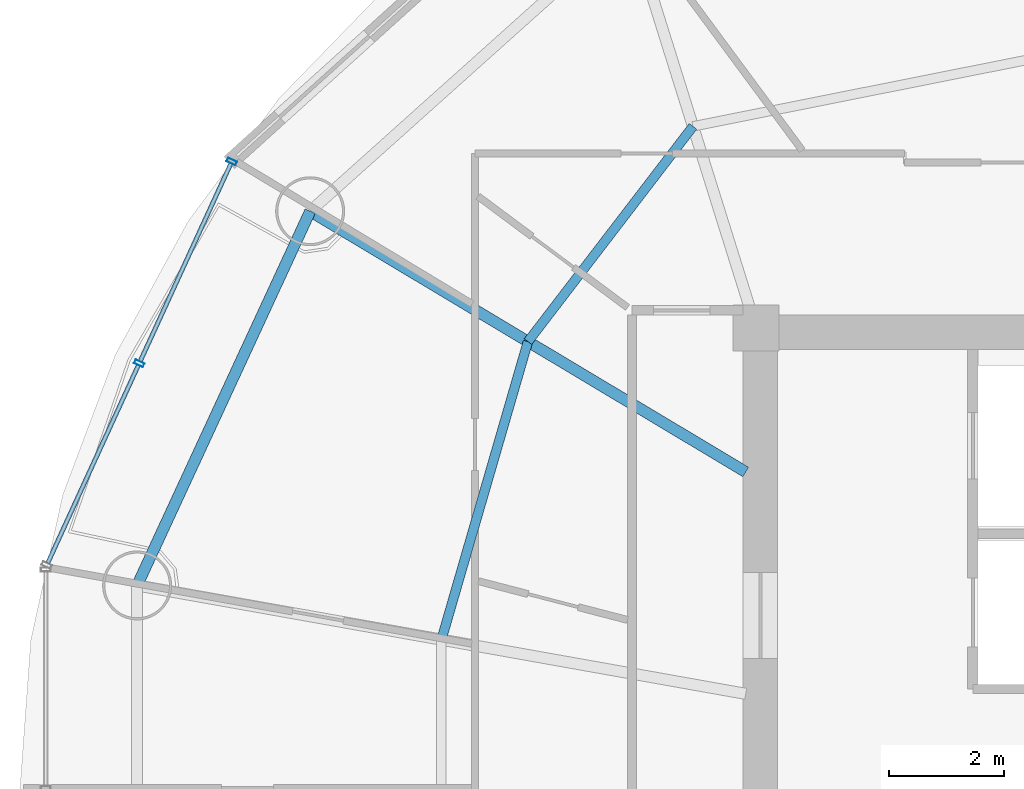
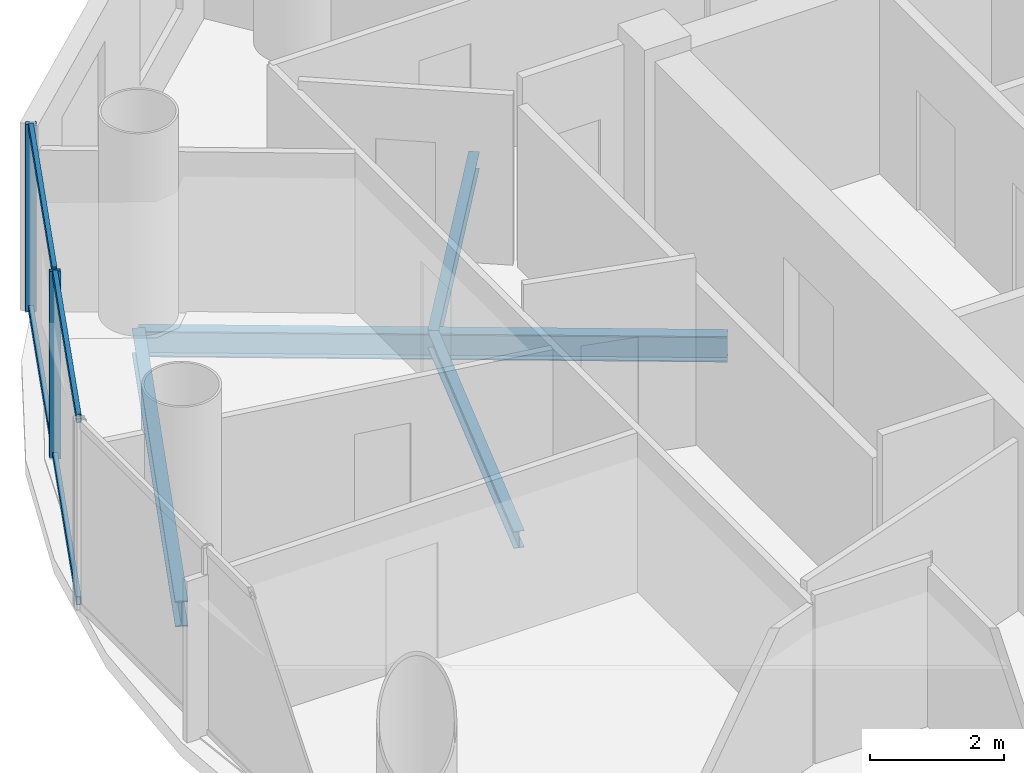
# One storey, part 9 of 26: 6 members, 4 beams, 1 element without a shape of its own.
"""IFC4 building model written with IfcOpenShell, lengths in metres."""

from ifc_helpers import new_model, si_unit, direction, frame, origin, origin_2d, place, context, subcontext, project, spatial, hollow_rectangle, i_section, extrude, source, transform, mapped, material, material_profile, profile_set, type_object, element, aggregate, save


model = new_model("IFC4")

# Units and contexts
model_context = context("Model", 3, precision=1e-05, world=origin(), true_north=direction((-0.2419218956, 0.970295726276)))
body_context = subcontext(model_context, "Body", "Model", "MODEL_VIEW")
ifc_project = project(units=[si_unit("LENGTHUNIT", "METRE"), si_unit("AREAUNIT", "SQUARE_METRE"), si_unit("VOLUMEUNIT", "CUBIC_METRE"), si_unit("PLANEANGLEUNIT", "RADIAN"), si_unit("MASSUNIT", "GRAM", prefix="KILO")], contexts=[model_context])

# Site, building, storey
site_placement = place(None, origin())
site = spatial("IfcSite", under=ifc_project, at=site_placement, CompositionType="ELEMENT")
building_placement = place(site_placement, origin())
building = spatial("IfcBuilding", under=site, at=building_placement, Name="Cobrevalo Terracotta Tower", CompositionType="ELEMENT")
storey_placement = place(building_placement, frame((0.0, 0.0, 224.5)))
storey = spatial("IfcBuildingStorey", under=building, at=storey_placement, Name="L59", CompositionType="ELEMENT", Elevation=224.5)

# Beams
ifc_material_1 = material(Name="Steel S355", Category="steel")
ifc_material_profile_1 = material_profile(ifc_material_1, i_section(OverallWidth=0.194091796875, OverallDepth=0.468994140625, WebThickness=0.011474609375, FlangeThickness=0.0205078125, at=origin_2d()), Name="W 460x106")
ifc_profile_set_1 = profile_set([ifc_material_profile_1], Name="Steel S355")
beam_type_1 = type_object("IfcBeamType", Name="Structural Beam W 460x106 (Steel S355)", PredefinedType="BEAM", material=ifc_profile_set_1)
beam_1_placement = place(storey_placement, frame((21.245849609375, 36.828125, -0.49951171875), z_axis=(0.858046392192, -0.513572184651, 0.0), x_axis=(0.513572184651, 0.858046392192, 0.0)))
element("IfcBeam", 1, at=beam_1_placement, inside=storey, type_object=beam_type_1, Name="L59 radial floor girder 07", PredefinedType="BEAM", context=body_context, shape_type="SweptSolid", body=[
    extrude(i_section(OverallWidth=0.194091796875, OverallDepth=0.468994140625, WebThickness=0.011474609375, FlangeThickness=0.0205078125, at=origin_2d()), origin(), (0.0, 0.0, 1.0), 8.827392578125),
])
ifc_material_profile_2 = material_profile(ifc_material_1, i_section(OverallWidth=0.1650390625, OverallDepth=0.31005859375, WebThickness=0.005859375, FlangeThickness=0.009765625, at=origin_2d()), Name="W 310x38.7")
ifc_profile_set_2 = profile_set([ifc_material_profile_2], Name="Steel S355")
beam_type_2 = type_object("IfcBeamType", Name="Structural Joist W 310x38.7 (Steel S355)", PredefinedType="JOIST", material=ifc_profile_set_2)
beam_2_placement = place(storey_placement, frame((27.902587890625, 38.303955078125, -0.419921875), z_axis=(-0.608464146296, -0.793581364872, 0.0), x_axis=(0.793581364872, -0.608464146296, 0.0)))
element("IfcBeam", 2, at=beam_2_placement, inside=storey, type_object=beam_type_2, Name="L59 circumferential secondary floor joist 06", PredefinedType="JOIST", context=body_context, shape_type="SweptSolid", body=[
    extrude(i_section(OverallWidth=0.1650390625, OverallDepth=0.31005859375, WebThickness=0.005859375, FlangeThickness=0.009765625, at=origin_2d()), origin(), (0.0, 0.0, 1.0), 4.716064453125),
])
beam_3_placement = place(storey_placement, frame((25.032958984375, 34.561279296875, -0.419921875), z_axis=(-0.278769817131, -0.960357948401, 0.0), x_axis=(0.960357948401, -0.278769817131, 0.0)))
element("IfcBeam", 3, at=beam_3_placement, inside=storey, type_object=beam_type_2, Name="L59 circumferential secondary floor joist 07", PredefinedType="JOIST", context=body_context, shape_type="SweptSolid", body=[
    extrude(i_section(OverallWidth=0.1650390625, OverallDepth=0.31005859375, WebThickness=0.005859375, FlangeThickness=0.009765625, at=origin_2d()), origin(), (0.0, 0.0, 1.0), 5.396484375),
])
ifc_material_profile_3 = material_profile(ifc_material_1, i_section(OverallWidth=0.194091796875, OverallDepth=0.468994140625, WebThickness=0.011474609375, FlangeThickness=0.0205078125, at=origin_2d()), Name="W 460x106")
ifc_profile_set_3 = profile_set([ifc_material_profile_3], Name="Steel S355")
beam_type_3 = type_object("IfcBeamType", Name="Structural Spandrel W 460x106 (Steel S355)", PredefinedType="SPANDREL", material=ifc_profile_set_3)
beam_4_placement = place(storey_placement, frame((21.245849609375, 36.828125, -0.49951171875), z_axis=(-0.419705965131, -0.907660125176, 0.0), x_axis=(0.907660125176, -0.419705965131, 0.0)))
element("IfcBeam", 4, at=beam_4_placement, inside=storey, type_object=beam_type_3, Name="L59 perimeter ring spandrel 07", PredefinedType="SPANDREL", context=body_context, shape_type="SweptSolid", body=[
    extrude(i_section(OverallWidth=0.194091796875, OverallDepth=0.468994140625, WebThickness=0.011474609375, FlangeThickness=0.0205078125, at=origin_2d()), origin(), (0.0, 0.0, 1.0), 7.168701171875),
])

# Curtain wall, members
ifc_material_2 = material(Name="Anodized aluminium", Category="aluminium")
curtain_wall_type = type_object("IfcCurtainWallType", Name="Mid-tower high-wind unitised curtain wall CW-U2", PredefinedType="NOTDEFINED", material=ifc_material_2)
curtain_wall_placement = place(storey_placement, origin())
curtain_wall = element("IfcCurtainWall", 5, at=curtain_wall_placement, inside=storey, type_object=curtain_wall_type, Name="L59 curtain wall CW-L59-S07", PredefinedType="NOTDEFINED")
ifc_material_profile_4 = material_profile(ifc_material_2, hollow_rectangle(XDim=0.074951171875, YDim=0.14990234375, WallThickness=0.00439453125, at=origin_2d()), Name="CWT 75x150")
ifc_profile_set_4 = profile_set([ifc_material_profile_4], Name="Anodized aluminium")
member_type_1 = type_object("IfcMemberType", Name="Tower unitised aluminium transom 75x150", PredefinedType="USERDEFINED", material=ifc_profile_set_4)
shared_shape_1 = source(origin(), body_context, "Body", "SweptSolid", [
    extrude(hollow_rectangle(XDim=0.074951171875, YDim=0.14990234375, WallThickness=0.00439453125, at=origin_2d()), origin(), (0.0, 0.0, 1.0), 3.780029296875),
])
member_1_placement = place(storey_placement, frame((19.865478515625, 37.6552734375, 0.050048828125), z_axis=(-0.416705859352, -0.909041377926, 0.0), x_axis=(0.909041377926, -0.416705859352, 0.0)))
member_1 = element("IfcMember", 6, at=member_1_placement, type_object=member_type_1, Name="CW-L59-S07 transom B01-T1", ObjectType="TRANSOM", PredefinedType="USERDEFINED", context=body_context, shape_type="MappedRepresentation", body=[
    mapped(shared_shape_1, transform((0.0, 0.0, 0.0), scale=1.0)),
])
member_2_placement = place(storey_placement, frame((19.865478515625, 37.6552734375, 3.385009765625), z_axis=(-0.416705859352, -0.909041377926, 0.0), x_axis=(0.909041377926, -0.416705859352, 0.0)))
member_2 = element("IfcMember", 7, at=member_2_placement, type_object=member_type_1, Name="CW-L59-S07 transom B01-T2", ObjectType="TRANSOM", PredefinedType="USERDEFINED", context=body_context, shape_type="MappedRepresentation", body=[
    mapped(shared_shape_1, transform((0.0, 0.0, 0.0), scale=1.0)),
])
member_3_placement = place(storey_placement, frame((18.2568359375, 34.146484375, 0.050048828125), z_axis=(-0.416705859352, -0.909041377926, 0.0), x_axis=(0.909041377926, -0.416705859352, 0.0)))
member_3 = element("IfcMember", 8, at=member_3_placement, type_object=member_type_1, Name="CW-L59-S07 transom B02-T1", ObjectType="TRANSOM", PredefinedType="USERDEFINED", context=body_context, shape_type="MappedRepresentation", body=[
    mapped(shared_shape_1, transform((0.0, 0.0, 0.0), scale=1.0)),
])
member_4_placement = place(storey_placement, frame((18.2568359375, 34.146484375, 3.385009765625), z_axis=(-0.416705859352, -0.909041377926, 0.0), x_axis=(0.909041377926, -0.416705859352, 0.0)))
member_4 = element("IfcMember", 9, at=member_4_placement, type_object=member_type_1, Name="CW-L59-S07 transom B02-T2", ObjectType="TRANSOM", PredefinedType="USERDEFINED", context=body_context, shape_type="MappedRepresentation", body=[
    mapped(shared_shape_1, transform((0.0, 0.0, 0.0), scale=1.0)),
])
ifc_material_profile_5 = material_profile(ifc_material_2, hollow_rectangle(XDim=0.070068359375, YDim=0.169921875, WallThickness=0.00439453125, at=origin_2d()), Name="CWM 70x170")
ifc_profile_set_5 = profile_set([ifc_material_profile_5], Name="Anodized aluminium")
member_type_2 = type_object("IfcMemberType", Name="Upper tower unitised mullion 70x170", PredefinedType="MULLION", material=ifc_profile_set_5)
shared_shape_2 = source(origin(), body_context, "Body", "SweptSolid", [
    extrude(hollow_rectangle(XDim=0.070068359375, YDim=0.169921875, WallThickness=0.00439453125, at=origin_2d()), origin(), (0.0, 0.0, 1.0), 3.43505859375),
])
member_5_placement = place(storey_placement, frame((19.88232421875, 37.691650390625, 0.0), z_axis=(0.0, 0.0, 1.0), x_axis=(-0.41672507912, -0.909032567311, 0.0)))
member_5 = element("IfcMember", 10, at=member_5_placement, type_object=member_type_2, Name="CW-L59-S07 vertical mullion 01", PredefinedType="MULLION", context=body_context, shape_type="MappedRepresentation", body=[
    mapped(shared_shape_2, transform((0.0, 0.0, 0.0), scale=1.0)),
])
member_6_placement = place(storey_placement, frame((18.273681640625, 34.182861328125, 0.0), z_axis=(0.0, 0.0, 1.0), x_axis=(-0.41672507912, -0.909032567311, 0.0)))
member_6 = element("IfcMember", 11, at=member_6_placement, type_object=member_type_2, Name="CW-L59-S07 vertical mullion 02", PredefinedType="MULLION", context=body_context, shape_type="MappedRepresentation", body=[
    mapped(shared_shape_2, transform((0.0, 0.0, 0.0), scale=1.0)),
])
aggregate(curtain_wall, [member_5, member_6, member_1, member_2, member_3, member_4])

save(model, "model.ifc")
